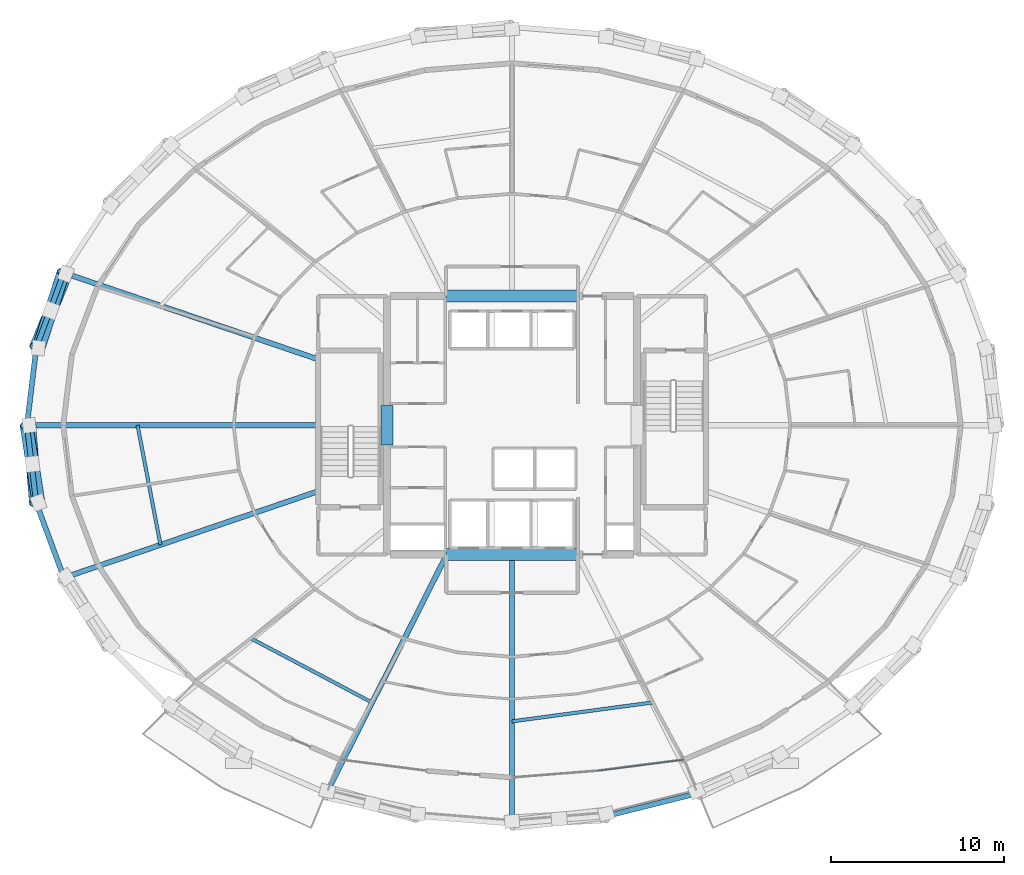
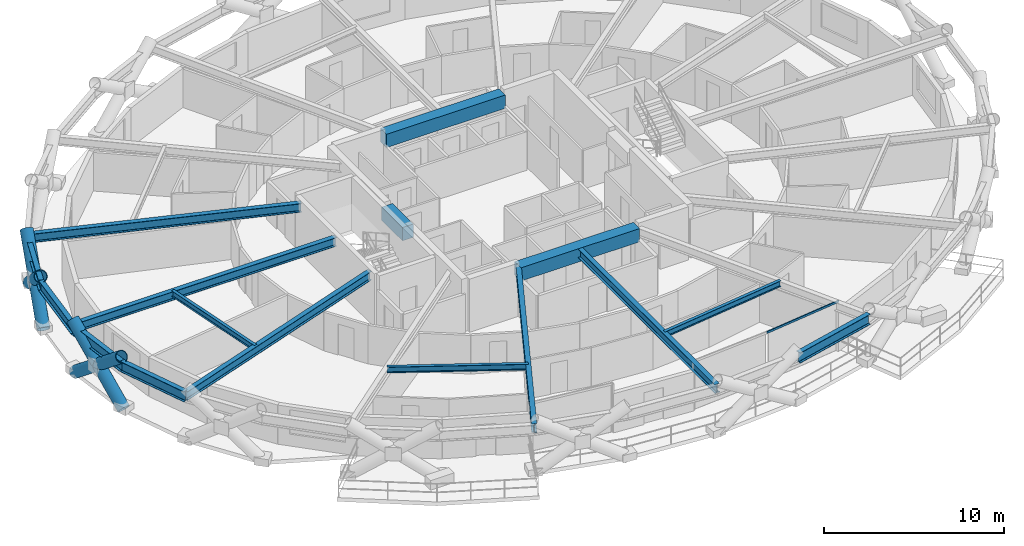
# One storey, part 3 of 13: 16 beams, 7 members, 1 element without a shape of its own.
"""IFC4 building model written with IfcOpenShell, lengths in metres."""

from ifc_helpers import new_model, si_unit, direction, frame, origin, origin_2d, place, context, subcontext, project, spatial, rectangle, hollow_rectangle, hollow_circle, i_section, extrude, material, layer, layer_set, material_profile, profile_set, type_object, element, aggregate, save


model = new_model("IFC4")

# Units and contexts
model_context = context("Model", 3, precision=1e-05, world=origin(), true_north=direction((0.0, 1.0)))
body_context = subcontext(model_context, "Body", "Model", "MODEL_VIEW")
ifc_project = project(units=[si_unit("LENGTHUNIT", "METRE"), si_unit("AREAUNIT", "SQUARE_METRE"), si_unit("VOLUMEUNIT", "CUBIC_METRE"), si_unit("PLANEANGLEUNIT", "RADIAN"), si_unit("MASSUNIT", "GRAM", prefix="KILO")], contexts=[model_context])

# Site, building, storey
site_placement = place(None, origin())
site = spatial("IfcSite", under=ifc_project, at=site_placement, CompositionType="ELEMENT")
building_placement = place(site_placement, origin())
building = spatial("IfcBuilding", under=site, at=building_placement, Name="Veldorina Hangang Commons", CompositionType="ELEMENT")
storey_placement = place(building_placement, frame((0.0, 0.0, 37.60009765625)))
storey = spatial("IfcBuildingStorey", under=building, at=storey_placement, Name="L08", CompositionType="ELEMENT", Elevation=37.60009765625)

# Beams
ifc_material_1 = material(Name="Concrete C70/85", Category="concrete")
ifc_material_profile_1 = material_profile(ifc_material_1, rectangle(XDim=0.699951171875, YDim=0.89990234375, at=origin_2d()), Name="RC-CB-700x900")
ifc_profile_set_1 = profile_set([ifc_material_profile_1], Name="Concrete C70/85")
beam_type_1 = type_object("IfcBeamType", Name="BM-CB900", PredefinedType="LINTEL", material=ifc_profile_set_1)
beam_1_placement = place(storey_placement, frame((24.800048828125, 22.85009765625, 2.889892578125), z_axis=(0.0, 1.0, 0.0), x_axis=(-1.0, 0.0, 0.0)))
element("IfcBeam", 1, at=beam_1_placement, inside=storey, type_object=beam_type_1, Name="L08 W core coupling lintel beam", PredefinedType="LINTEL", context=body_context, shape_type="SweptSolid", body=[
    extrude(rectangle(XDim=0.699951171875, YDim=0.89990234375, at=origin_2d()), origin(), (0.0, 0.0, 1.0), 2.2998046875),
])
for number, where, z_axis, x_axis, name in (
    (2, (28.199951171875, 16.550048828125, 2.889892578125), (1.0, 0.0, 0.0), (0.0, 1.0, 0.0), "L08 south core coupling beam"),
    (3, (28.199951171875, 31.449951171875, 2.889892578125), (1.0, 0.0, 0.0), (0.0, 1.0, 0.0), "L08 north core coupling beam"),
):
    element("IfcBeam", number, at=place(storey_placement, frame(where, z_axis=z_axis, x_axis=x_axis)), inside=storey, type_object=beam_type_1, Name=name, PredefinedType="LINTEL", context=body_context, shape_type="SweptSolid", body=[
        extrude(rectangle(XDim=0.699951171875, YDim=0.89990234375, at=origin_2d()), origin(), (0.0, 0.0, 1.0), 7.60009765625),
    ])
ifc_material_2 = material(Name="Steel SM460-TMC", Category="steel")
ifc_material_profile_2 = material_profile(ifc_material_2, i_section(OverallWidth=0.300048828125, OverallDepth=0.587890625, WebThickness=0.011962890625, FlangeThickness=0.02001953125, FilletRadius=0.01806640625, at=origin_2d()), Name="H-588x300x12x20")
ifc_profile_set_2 = profile_set([ifc_material_profile_2], Name="Steel SM460-TMC")
beam_type_2 = type_object("IfcBeamType", Name="BM-FG588", PredefinedType="BEAM", material=ifc_profile_set_2)
beam_2_placement = place(storey_placement, frame((20.820068359375, 27.802978515625, 3.0458984375), z_axis=(-0.946724488541, 0.32204462858, 0.0), x_axis=(-0.32204462858, -0.946724488541, 0.0)))
element("IfcBeam", 4, at=beam_2_placement, inside=storey, type_object=beam_type_2, Name="L08 radial floor girder 08", PredefinedType="BEAM", context=body_context, shape_type="SweptSolid", body=[
    extrude(i_section(OverallWidth=0.300048828125, OverallDepth=0.587890625, WebThickness=0.011962890625, FlangeThickness=0.02001953125, FilletRadius=0.01806640625, at=origin_2d()), origin(), (0.0, 0.0, 1.0), 15.484130859375),
])
beam_3_placement = place(storey_placement, frame((20.820068359375, 24.0, 3.0458984375), z_axis=(-1.0, 0.0, 0.0), x_axis=(0.0, -1.0, 0.0)))
element("IfcBeam", 5, at=beam_3_placement, inside=storey, type_object=beam_type_2, Name="L08 radial floor girder 09", PredefinedType="BEAM", context=body_context, shape_type="SweptSolid", body=[
    extrude(i_section(OverallWidth=0.300048828125, OverallDepth=0.587890625, WebThickness=0.011962890625, FlangeThickness=0.02001953125, FilletRadius=0.01806640625, at=origin_2d()), origin(), (0.0, 0.0, 1.0), 16.7880859375),
])
beam_4_placement = place(storey_placement, frame((20.820068359375, 20.197021484375, 3.0458984375), z_axis=(-0.946724488541, -0.32204462858, 0.0), x_axis=(0.32204462858, -0.946724488541, 0.0)))
element("IfcBeam", 6, at=beam_4_placement, inside=storey, type_object=beam_type_2, Name="L08 radial floor girder 10", PredefinedType="BEAM", context=body_context, shape_type="SweptSolid", body=[
    extrude(i_section(OverallWidth=0.300048828125, OverallDepth=0.587890625, WebThickness=0.011962890625, FlangeThickness=0.02001953125, FilletRadius=0.01806640625, at=origin_2d()), origin(), (0.0, 0.0, 1.0), 15.484130859375),
])
beam_5_placement = place(storey_placement, frame((28.2421875, 16.550048828125, 3.0458984375), z_axis=(-0.45033266296, -0.892860847317, 0.0), x_axis=(0.892860847317, -0.45033266296, 0.0)))
element("IfcBeam", 7, at=beam_5_placement, inside=storey, type_object=beam_type_2, Name="L08 radial floor girder 12", PredefinedType="BEAM", context=body_context, shape_type="SweptSolid", body=[
    extrude(i_section(OverallWidth=0.300048828125, OverallDepth=0.587890625, WebThickness=0.011962890625, FlangeThickness=0.02001953125, FilletRadius=0.01806640625, at=origin_2d()), origin(), (0.0, 0.0, 1.0), 15.422119140625),
])
beam_6_placement = place(storey_placement, frame((32.0, 16.550048828125, 3.0458984375), z_axis=(0.0, -1.0, 0.0), x_axis=(1.0, 0.0, 0.0)))
element("IfcBeam", 8, at=beam_6_placement, inside=storey, type_object=beam_type_2, Name="L08 radial floor girder 13", PredefinedType="BEAM", context=body_context, shape_type="SweptSolid", body=[
    extrude(i_section(OverallWidth=0.300048828125, OverallDepth=0.587890625, WebThickness=0.011962890625, FlangeThickness=0.02001953125, FilletRadius=0.01806640625, at=origin_2d()), origin(), (0.0, 0.0, 1.0), 15.51806640625),
])
ifc_material_3 = material(Name="Steel SM355-TMC", Category="steel")
ifc_material_profile_3 = material_profile(ifc_material_3, i_section(OverallWidth=0.199951171875, OverallDepth=0.39990234375, WebThickness=0.008056640625, FlangeThickness=0.012939453125, FilletRadius=0.012939453125, at=origin_2d()), Name="H-400x200x8x13")
ifc_profile_set_3 = profile_set([ifc_material_profile_3], Name="Steel SM355-TMC")
beam_type_3 = type_object("IfcBeamType", Name="BM-JST400", PredefinedType="JOIST", material=ifc_profile_set_3)
beam_7_placement = place(storey_placement, frame((10.411376953125, 24.0, 3.139892578125), z_axis=(0.188050142781, -0.982159428912, 0.0), x_axis=(0.982159428912, 0.188050142781, 0.0)))
element("IfcBeam", 9, at=beam_7_placement, inside=storey, type_object=beam_type_3, Name="L08 secondary floor joist 09", PredefinedType="JOIST", context=body_context, shape_type="SweptSolid", body=[
    extrude(i_section(OverallWidth=0.199951171875, OverallDepth=0.39990234375, WebThickness=0.008056640625, FlangeThickness=0.012939453125, FilletRadius=0.012939453125, at=origin_2d()), origin(), (0.0, 0.0, 1.0), 7.019775390625),
])
beam_8_placement = place(storey_placement, frame((17.002685546875, 11.683837890625, 3.139892578125), z_axis=(0.883765964202, -0.467929183229, 0.0), x_axis=(0.467929183229, 0.883765964202, 0.0)))
element("IfcBeam", 10, at=beam_8_placement, inside=storey, type_object=beam_type_3, Name="L08 secondary floor joist 11", PredefinedType="JOIST", context=body_context, shape_type="SweptSolid", body=[
    extrude(i_section(OverallWidth=0.199951171875, OverallDepth=0.39990234375, WebThickness=0.008056640625, FlangeThickness=0.012939453125, FilletRadius=0.012939453125, at=origin_2d()), origin(), (0.0, 0.0, 1.0), 7.845458984375),
])
beam_9_placement = place(storey_placement, frame((32.0, 6.9287109375, 3.139892578125), z_axis=(0.991085288644, 0.133228940676, 0.0), x_axis=(-0.133228940676, 0.991085288644, 0.0)))
element("IfcBeam", 11, at=beam_9_placement, inside=storey, type_object=beam_type_3, Name="L08 secondary floor joist 13", PredefinedType="JOIST", context=body_context, shape_type="SweptSolid", body=[
    extrude(i_section(OverallWidth=0.199951171875, OverallDepth=0.39990234375, WebThickness=0.008056640625, FlangeThickness=0.012939453125, FilletRadius=0.012939453125, at=origin_2d()), origin(), (0.0, 0.0, 1.0), 8.13623046875),
])
ifc_material_profile_4 = material_profile(ifc_material_2, i_section(OverallWidth=0.300048828125, OverallDepth=0.699951171875, WebThickness=0.012939453125, FlangeThickness=0.02392578125, FilletRadius=0.02197265625, at=origin_2d()), Name="H-700x300x13x24")
ifc_profile_set_4 = profile_set([ifc_material_profile_4], Name="Steel SM460-TMC")
beam_type_4 = type_object("IfcBeamType", Name="BM-RB700", PredefinedType="BEAM", material=ifc_profile_set_4)
beam_10_placement = place(storey_placement, frame((6.160888671875, 32.78955078125, 2.989990234375), z_axis=(-0.346505772207, -0.938047839839, 0.0), x_axis=(0.938047839839, -0.346505772207, 0.0)))
element("IfcBeam", 12, at=beam_10_placement, inside=storey, type_object=beam_type_4, Name="L08 perimeter hoop ring beam 14", PredefinedType="BEAM", context=body_context, shape_type="SweptSolid", body=[
    extrude(i_section(OverallWidth=0.300048828125, OverallDepth=0.699951171875, WebThickness=0.012939453125, FlangeThickness=0.02392578125, FilletRadius=0.02197265625, at=origin_2d()), origin(), (0.0, 0.0, 1.0), 4.59326171875),
])
for number, where, z_axis, x_axis, name in (
    (13, (4.5693359375, 28.48095703125, 2.989990234375), (-0.119066294028, -0.992886306496, 0.0), (0.992886306496, -0.119066294028, 0.0), "L08 perimeter hoop ring beam 15"),
    (14, (4.031982421875, 24.0, 2.989990234375), (0.119066294028, -0.992886306496, 0.0), (0.992886306496, 0.119066294028, 0.0), "L08 perimeter hoop ring beam 16"),
):
    element("IfcBeam", number, at=place(storey_placement, frame(where, z_axis=z_axis, x_axis=x_axis)), inside=storey, type_object=beam_type_4, Name=name, PredefinedType="BEAM", context=body_context, shape_type="SweptSolid", body=[
        extrude(i_section(OverallWidth=0.300048828125, OverallDepth=0.699951171875, WebThickness=0.012939453125, FlangeThickness=0.02392578125, FilletRadius=0.02197265625, at=origin_2d()), origin(), (0.0, 0.0, 1.0), 4.51318359375),
    ])
beam_11_placement = place(storey_placement, frame((4.5693359375, 19.51904296875, 2.989990234375), z_axis=(0.346505772207, -0.938047839839, 0.0), x_axis=(0.938047839839, 0.346505772207, 0.0)))
element("IfcBeam", 15, at=beam_11_placement, inside=storey, type_object=beam_type_4, Name="L08 perimeter hoop ring beam 17", PredefinedType="BEAM", context=body_context, shape_type="SweptSolid", body=[
    extrude(i_section(OverallWidth=0.300048828125, OverallDepth=0.699951171875, WebThickness=0.012939453125, FlangeThickness=0.02392578125, FilletRadius=0.02197265625, at=origin_2d()), origin(), (0.0, 0.0, 1.0), 4.59326171875),
])
beam_12_placement = place(storey_placement, frame((37.456298828125, 1.473388671875, 2.989990234375), z_axis=(0.970349321217, 0.241706836504, 0.0), x_axis=(-0.241706836504, 0.970349321217, 0.0)))
element("IfcBeam", 16, at=beam_12_placement, inside=storey, type_object=beam_type_4, Name="L08 perimeter hoop ring beam 25", PredefinedType="BEAM", context=body_context, shape_type="SweptSolid", body=[
    extrude(i_section(OverallWidth=0.300048828125, OverallDepth=0.699951171875, WebThickness=0.012939453125, FlangeThickness=0.02392578125, FilletRadius=0.02197265625, at=origin_2d()), origin(), (0.0, 0.0, 1.0), 5.406982421875),
])

# Curtain wall, member
ifc_material_4 = material(Name="Glass Low-E Triple IGU", Category="glass")
ifc_layer = layer(ifc_material_4, 0.179931640625)
ifc_layer_set = layer_set([ifc_layer], Name="Glass Low-E Triple IGU")
curtain_wall_type = type_object("IfcCurtainWallType", Name="CW-SYS-Z1", PredefinedType="NOTDEFINED", material=ifc_layer_set)
curtain_wall_placement = place(storey_placement, origin())
curtain_wall = element("IfcCurtainWall", 17, at=curtain_wall_placement, inside=storey, type_object=curtain_wall_type, Name="L08 unitised curtain wall CW-L08-R2", PredefinedType="NOTDEFINED")
ifc_material_5 = material(Name="Aluminium Anodized AA6063-T6", Category="aluminium")
ifc_material_profile_5 = material_profile(ifc_material_5, hollow_rectangle(XDim=0.06005859375, YDim=0.139892578125, WallThickness=0.00341796875, at=origin_2d()), Name="ALU-RHS-140x60x3.5")
ifc_profile_set_5 = profile_set([ifc_material_profile_5], Name="Aluminium Anodized AA6063-T6")
member_type_1 = type_object("IfcMemberType", Name="CW-TRN-140", PredefinedType="USERDEFINED", material=ifc_profile_set_5)
member_1_placement = place(storey_placement, frame((36.9384765625, 4.076416015625, 3.260009765625), z_axis=(0.99182175278, 0.127630759274, 0.0), x_axis=(-0.127630759274, 0.99182175278, 0.0)))
member_1 = element("IfcMember", 18, at=member_1_placement, type_object=member_type_1, Name="CW-L08-R2 facet 2 transom 1", ObjectType="TRANSOM", PredefinedType="USERDEFINED", context=body_context, shape_type="SweptSolid", body=[
    extrude(hollow_rectangle(XDim=0.06005859375, YDim=0.139892578125, WallThickness=0.00341796875, at=origin_2d()), origin(), (0.0, 0.0, 1.0), 5.004150390625),
])
aggregate(curtain_wall, [member_1])

# Members
ifc_material_profile_6 = material_profile(ifc_material_2, hollow_circle(Radius=0.375, WallThickness=0.035888671875, at=origin_2d()), Name="CHS-750x36")
ifc_profile_set_6 = profile_set([ifc_material_profile_6], Name="Steel SM460-TMC")
member_type_2 = type_object("IfcMemberType", Name="DG-CHS750", PredefinedType="BRACE", material=ifc_profile_set_6)
member_2_placement = place(storey_placement, frame((6.284912109375, 32.738037109375, 0.0), z_axis=(-0.298499379436, -0.728410423462, 0.616697961297), x_axis=(0.925318280105, -0.379191350776, 0.0)))
element("IfcMember", 19, at=member_2_placement, inside=storey, type_object=member_type_2, Name="L08 continuous perimeter diagrid brace 14", PredefinedType="BRACE", context=body_context, shape_type="SweptSolid", body=[
    extrude(hollow_circle(Radius=0.375, WallThickness=0.035888671875, at=origin_2d()), origin(), (0.0, 0.0, 1.0), 5.83740234375),
])
member_3_placement = place(storey_placement, frame((4.700927734375, 28.45458984375, 0.0), z_axis=(0.246745126163, 0.746210448052, 0.618293465866), x_axis=(-0.949440794454, 0.313946138416, 0.0)))
element("IfcMember", 20, at=member_3_placement, inside=storey, type_object=member_type_2, Name="L08 split perimeter diagrid lower brace 15", PredefinedType="BRACE", context=body_context, shape_type="SweptSolid", body=[
    extrude(hollow_circle(Radius=0.375, WallThickness=0.035888671875, at=origin_2d()), origin(), (0.0, 0.0, 1.0), 2.901123046875),
])
member_4_placement = place(storey_placement, frame((5.416748046875, 30.619384765625, 1.793701171875), z_axis=(0.246036426806, 0.746466496001, 0.618266808936), x_axis=(-0.949741236955, 0.313036072727, 0.0)))
element("IfcMember", 21, at=member_4_placement, inside=storey, type_object=member_type_2, Name="L08 split perimeter diagrid upper brace 15", PredefinedType="BRACE", context=body_context, shape_type="SweptSolid", body=[
    extrude(hollow_circle(Radius=0.375, WallThickness=0.035888671875, at=origin_2d()), origin(), (0.0, 0.0, 1.0), 2.92138671875),
])
member_5_placement = place(storey_placement, frame((4.166259765625, 24.0, 0.0), z_axis=(0.065269057398, -0.778273153597, 0.624524497948), x_axis=(0.996501860772, 0.08357057782, 0.0)))
element("IfcMember", 22, at=member_5_placement, inside=storey, type_object=member_type_2, Name="L08 continuous perimeter diagrid brace 16", PredefinedType="BRACE", context=body_context, shape_type="SweptSolid", body=[
    extrude(hollow_circle(Radius=0.375, WallThickness=0.035888671875, at=origin_2d()), origin(), (0.0, 0.0, 1.0), 5.76416015625),
])
member_6_placement = place(storey_placement, frame((4.700927734375, 19.54541015625, 0.0), z_axis=(-0.120766008351, 0.772070170123, 0.623957709811), x_axis=(-0.987986638153, -0.154539324547, 0.0)))
element("IfcMember", 23, at=member_6_placement, inside=storey, type_object=member_type_2, Name="L08 split perimeter diagrid lower brace 17", PredefinedType="BRACE", context=body_context, shape_type="SweptSolid", body=[
    extrude(hollow_circle(Radius=0.375, WallThickness=0.035888671875, at=origin_2d()), origin(), (0.0, 0.0, 1.0), 2.874755859375),
])
member_7_placement = place(storey_placement, frame((4.353759765625, 21.764892578125, 1.793701171875), z_axis=(-0.120603485245, 0.772115319871, 0.623933275413), x_axis=(-0.988019748532, -0.154327497586, 0.0)))
element("IfcMember", 24, at=member_7_placement, inside=storey, type_object=member_type_2, Name="L08 split perimeter diagrid upper brace 17", PredefinedType="BRACE", context=body_context, shape_type="SweptSolid", body=[
    extrude(hollow_circle(Radius=0.375, WallThickness=0.035888671875, at=origin_2d()), origin(), (0.0, 0.0, 1.0), 2.894775390625),
])

save(model, "model.ifc")
